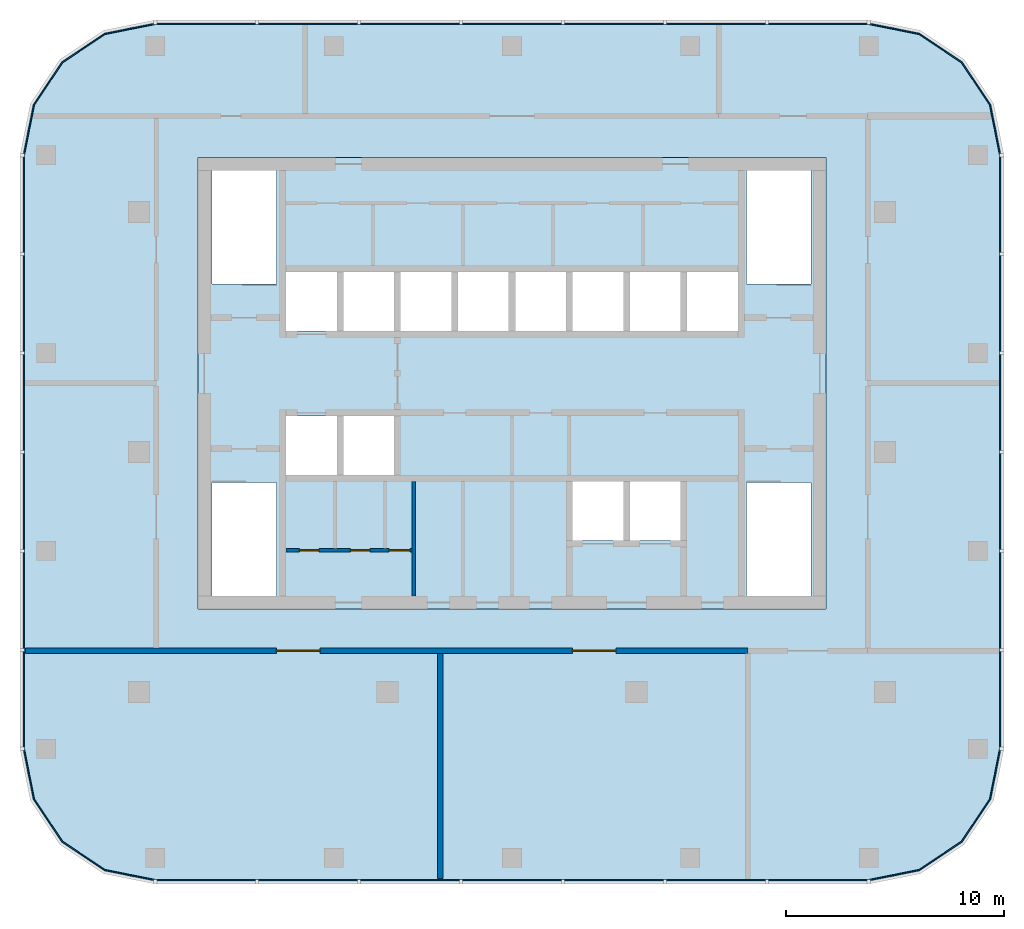
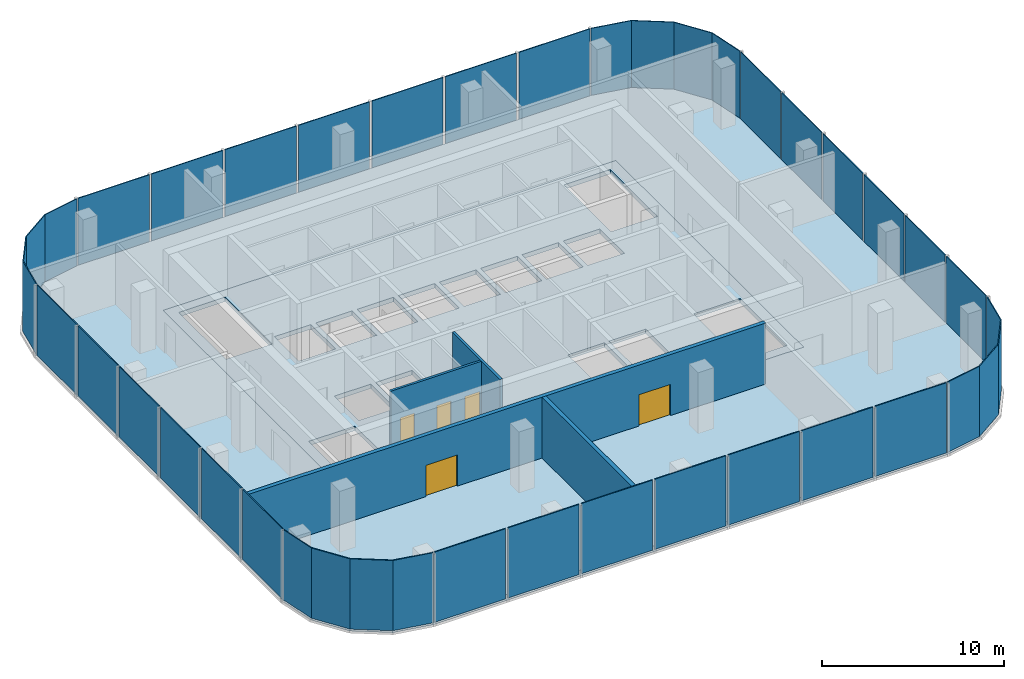
# One storey, part 3 of 6: 30 plates, 5 doors, 4 walls, 2 slabs, 5 openings, 8 elements without a shape of their own.
"""IFC4 building model written with IfcOpenShell, lengths in metres."""

from ifc_helpers import new_model, si_unit, direction, frame, frame_2d, origin, origin_2d, place, context, subcontext, project, spatial, polyline, rectangle, outline, extrude, material, layer, layer_set, type_object, element, fill, aggregate, save


model = new_model("IFC4")

# Units and contexts
model_context = context("Model", 3, precision=1e-05, world=origin(), true_north=direction((0.0, 1.0)))
body_context = subcontext(model_context, "Body", "Model", "MODEL_VIEW")
ifc_project = project(units=[si_unit("LENGTHUNIT", "METRE"), si_unit("AREAUNIT", "SQUARE_METRE"), si_unit("VOLUMEUNIT", "CUBIC_METRE"), si_unit("PLANEANGLEUNIT", "RADIAN"), si_unit("MASSUNIT", "GRAM", prefix="KILO")], contexts=[model_context])

# Site, building, storey
site_placement = place(None, origin())
site = spatial("IfcSite", under=ifc_project, at=site_placement, CompositionType="ELEMENT")
building_placement = place(site_placement, origin())
building = spatial("IfcBuilding", under=site, at=building_placement, Name="Mopane Tessera Tower", CompositionType="ELEMENT")
storey_placement = place(building_placement, frame((0.0, 0.0, 357.39990234375)))
storey = spatial("IfcBuildingStorey", under=building, at=storey_placement, Name="Roof plant", CompositionType="ELEMENT", Elevation=357.39990234375)

# Slab
ifc_material_1 = material(Name="Concrete C40/50", Category="concrete")
ifc_layer_1 = layer(ifc_material_1, 0.300048828125)
ifc_layer_set_1 = layer_set([ifc_layer_1], Name="Concrete C40/50")
slab_type_1 = type_object("IfcSlabType", Name="Core floor slab 300 mm", PredefinedType="FLOOR", material=ifc_layer_set_1)
slab_1_placement = place(storey_placement, frame((0.0, 0.0, -0.2998046875)))
element("IfcSlab", 1, at=slab_1_placement, inside=storey, type_object=slab_type_1, Name="Roof plant core floor slab", PredefinedType="FLOOR", context=body_context, shape_type="SweptSolid", body=[
    extrude(outline(polyline([(-14.39990234375, -7.199951171875), (14.39990234375, -7.199951171875), (14.39990234375, 13.5), (-14.39990234375, 13.5), (-14.39990234375, -7.199951171875)]), holes=[polyline([(-10.35009765625, -1.050048828125), (-8.02490234375, -1.050048828125), (-8.02490234375, 1.64990234375), (-10.35009765625, 1.64990234375), (-10.35009765625, -1.050048828125)]), polyline([(-7.72509765625, -1.050048828125), (-5.39990234375, -1.050048828125), (-5.39990234375, 1.64990234375), (-7.72509765625, 1.64990234375), (-7.72509765625, -1.050048828125)]), polyline([(-10.35009765625, 5.550048828125), (-8.02490234375, 5.550048828125), (-8.02490234375, 8.25), (-10.35009765625, 8.25), (-10.35009765625, 5.550048828125)]), polyline([(-7.72509765625, 5.550048828125), (-5.39990234375, 5.550048828125), (-5.39990234375, 8.25), (-7.72509765625, 8.25), (-7.72509765625, 5.550048828125)]), polyline([(-5.10009765625, 5.550048828125), (-2.77490234375, 5.550048828125), (-2.77490234375, 8.25), (-5.10009765625, 8.25), (-5.10009765625, 5.550048828125)]), polyline([(-2.47509765625, 5.550048828125), (-0.14990234375, 5.550048828125), (-0.14990234375, 8.25), (-2.47509765625, 8.25), (-2.47509765625, 5.550048828125)]), polyline([(0.14990234375, 5.550048828125), (2.47509765625, 5.550048828125), (2.47509765625, 8.25), (0.14990234375, 8.25), (0.14990234375, 5.550048828125)]), polyline([(2.77490234375, 5.550048828125), (5.10009765625, 5.550048828125), (5.10009765625, 8.25), (2.77490234375, 8.25), (2.77490234375, 5.550048828125)]), polyline([(5.39990234375, 5.550048828125), (7.72509765625, 5.550048828125), (7.72509765625, 8.25), (5.39990234375, 8.25), (5.39990234375, 5.550048828125)]), polyline([(8.02490234375, 5.550048828125), (10.35009765625, 5.550048828125), (10.35009765625, 8.25), (8.02490234375, 8.25), (8.02490234375, 5.550048828125)]), polyline([(2.77490234375, -4.050048828125), (5.10009765625, -4.050048828125), (5.10009765625, -1.35009765625), (2.77490234375, -1.35009765625), (2.77490234375, -4.050048828125)]), polyline([(5.39990234375, -4.050048828125), (7.72509765625, -4.050048828125), (7.72509765625, -1.35009765625), (5.39990234375, -1.35009765625), (5.39990234375, -4.050048828125)]), polyline([(-13.75, -1.405029296875), (-13.75, -6.60009765625), (-10.800048828125, -6.60009765625), (-10.800048828125, -1.405029296875), (-13.75, -1.405029296875)]), polyline([(-10.800048828125, 7.705078125), (-10.800048828125, 12.89990234375), (-13.75, 12.89990234375), (-13.75, 7.705078125), (-10.800048828125, 7.705078125)]), polyline([(10.75, -1.405029296875), (10.75, -6.60009765625), (13.699951171875, -6.60009765625), (13.699951171875, -1.405029296875), (10.75, -1.405029296875)]), polyline([(13.699951171875, 7.705078125), (13.699951171875, 12.89990234375), (10.75, 12.89990234375), (10.75, 7.705078125), (13.699951171875, 7.705078125)])]), origin(), (0.0, 0.0, 1.0), 0.2998046875),
])

# Curtain wall, plates
ifc_material_2 = material(Name="Aluminium frame", Category="aluminium")
curtain_wall_type = type_object("IfcCurtainWallType", Name="Plant floor unitised wall", PredefinedType="NOTDEFINED", material=ifc_material_2)
curtain_wall_1_placement = place(storey_placement, origin())
curtain_wall_1 = element("IfcCurtainWall", 2, at=curtain_wall_1_placement, inside=storey, type_object=curtain_wall_type, Name="e:cw:Roof plant:S:0", PredefinedType="NOTDEFINED")
ifc_material_3 = material(Name="Anodised aluminium louvre blades", Category="aluminium")
ifc_layer_2 = layer(ifc_material_3, 0.06005859375)
ifc_layer_set_2 = layer_set([ifc_layer_2], Name="Anodised aluminium louvre blades")
plate_type = type_object("IfcPlateType", Name="Louvred plant screen unit", PredefinedType="CURTAIN_PANEL", material=ifc_layer_set_2)
plate_1_placement = place(storey_placement, frame((-14.014404296875, -19.6298828125, -0.2197265625), z_axis=(0.0, 0.0, 1.0), x_axis=(1.0, 0.0, 0.0)))
plate_1 = element("IfcPlate", 3, at=plate_1_placement, type_object=plate_type, Name="e:cw:Roof plant:S:0:pn0", PredefinedType="CURTAIN_PANEL", context=body_context, shape_type="SweptSolid", body=[
    extrude(rectangle(XDim=4.531494140625, YDim=0.06005859375, at=origin_2d()), origin(), (0.0, 0.0, 1.0), 4.719970703125),
])
plate_2_placement = place(storey_placement, frame((-9.3427734375, -19.6298828125, -0.2197265625), z_axis=(0.0, 0.0, 1.0), x_axis=(1.0, 0.0, 0.0)))
plate_2 = element("IfcPlate", 4, at=plate_2_placement, type_object=plate_type, Name="e:cw:Roof plant:S:0:pn1", PredefinedType="CURTAIN_PANEL", context=body_context, shape_type="SweptSolid", body=[
    extrude(rectangle(XDim=4.531494140625, YDim=0.06005859375, at=origin_2d()), origin(), (0.0, 0.0, 1.0), 4.719970703125),
])
plate_3_placement = place(storey_placement, frame((-4.67138671875, -19.6298828125, -0.2197265625), z_axis=(0.0, 0.0, 1.0), x_axis=(1.0, 0.0, 0.0)))
plate_3 = element("IfcPlate", 5, at=plate_3_placement, type_object=plate_type, Name="e:cw:Roof plant:S:0:pn2", PredefinedType="CURTAIN_PANEL", context=body_context, shape_type="SweptSolid", body=[
    extrude(rectangle(XDim=4.531494140625, YDim=0.06005859375, at=origin_2d()), origin(), (0.0, 0.0, 1.0), 4.719970703125),
])
plate_4_placement = place(storey_placement, frame((0.0, -19.6298828125, -0.2197265625), z_axis=(0.0, 0.0, 1.0), x_axis=(1.0, 0.0, 0.0)))
plate_4 = element("IfcPlate", 6, at=plate_4_placement, type_object=plate_type, Name="e:cw:Roof plant:S:0:pn3", PredefinedType="CURTAIN_PANEL", context=body_context, shape_type="SweptSolid", body=[
    extrude(rectangle(XDim=4.531494140625, YDim=0.06005859375, at=origin_2d()), origin(), (0.0, 0.0, 1.0), 4.719970703125),
])
plate_5_placement = place(storey_placement, frame((4.67138671875, -19.6298828125, -0.2197265625), z_axis=(0.0, 0.0, 1.0), x_axis=(1.0, 0.0, 0.0)))
plate_5 = element("IfcPlate", 7, at=plate_5_placement, type_object=plate_type, Name="e:cw:Roof plant:S:0:pn4", PredefinedType="CURTAIN_PANEL", context=body_context, shape_type="SweptSolid", body=[
    extrude(rectangle(XDim=4.531494140625, YDim=0.06005859375, at=origin_2d()), origin(), (0.0, 0.0, 1.0), 4.719970703125),
])
plate_6_placement = place(storey_placement, frame((9.3427734375, -19.6298828125, -0.2197265625), z_axis=(0.0, 0.0, 1.0), x_axis=(1.0, 0.0, 0.0)))
plate_6 = element("IfcPlate", 8, at=plate_6_placement, type_object=plate_type, Name="e:cw:Roof plant:S:0:pn5", PredefinedType="CURTAIN_PANEL", context=body_context, shape_type="SweptSolid", body=[
    extrude(rectangle(XDim=4.531494140625, YDim=0.06005859375, at=origin_2d()), origin(), (0.0, 0.0, 1.0), 4.719970703125),
])
plate_7_placement = place(storey_placement, frame((14.014404296875, -19.6298828125, -0.2197265625), z_axis=(0.0, 0.0, 1.0), x_axis=(1.0, 0.0, 0.0)))
plate_7 = element("IfcPlate", 9, at=plate_7_placement, type_object=plate_type, Name="e:cw:Roof plant:S:0:pn6", PredefinedType="CURTAIN_PANEL", context=body_context, shape_type="SweptSolid", body=[
    extrude(rectangle(XDim=4.531494140625, YDim=0.06005859375, at=origin_2d()), origin(), (0.0, 0.0, 1.0), 4.719970703125),
])
aggregate(curtain_wall_1, [plate_1, plate_2, plate_3, plate_4, plate_5, plate_6, plate_7])

# Curtain wall, plate
curtain_wall_2_placement = place(storey_placement, origin())
curtain_wall_2 = element("IfcCurtainWall", 10, at=curtain_wall_2_placement, inside=storey, type_object=curtain_wall_type, Name="e:cw:Roof plant:CS", PredefinedType="NOTDEFINED")
plate_8_placement = place(storey_placement, frame((0.0, 0.0, -0.219970703125)))
plate_8 = element("IfcPlate", 11, at=plate_8_placement, type_object=plate_type, Name="e:cw:Roof plant:CS:pn", PredefinedType="CURTAIN_PANEL", context=body_context, shape_type="SweptSolid", body=[
    extrude(outline(polyline([(16.35009765625, -19.60009765625), (18.64599609375, -19.143310546875), (20.592529296875, -17.842529296875), (21.893310546875, -15.89599609375), (22.35009765625, -13.60009765625), (22.409912109375, -13.60009765625), (21.94873046875, -15.9189453125), (20.635009765625, -17.885009765625), (18.6689453125, -19.19873046875), (16.35009765625, -19.659912109375), (16.35009765625, -19.60009765625)])), origin(), (0.0, 0.0, 1.0), 4.719970703125),
])
aggregate(curtain_wall_2, [plate_8])

# Curtain wall, plates
curtain_wall_3_placement = place(storey_placement, origin())
curtain_wall_3 = element("IfcCurtainWall", 12, at=curtain_wall_3_placement, inside=storey, type_object=curtain_wall_type, Name="e:cw:Roof plant:E:0", PredefinedType="NOTDEFINED")
plate_9_placement = place(storey_placement, frame((22.3798828125, -11.333251953125, -0.2197265625), z_axis=(0.0, 0.0, 1.0), x_axis=(0.0, 1.0, 0.0)))
plate_9 = element("IfcPlate", 13, at=plate_9_placement, type_object=plate_type, Name="e:cw:Roof plant:E:0:pn0", PredefinedType="CURTAIN_PANEL", context=body_context, shape_type="SweptSolid", body=[
    extrude(rectangle(XDim=4.393310546875, YDim=0.06005859375, at=origin_2d()), origin(), (0.0, 0.0, 1.0), 4.719970703125),
])
plate_10_placement = place(storey_placement, frame((22.3798828125, -6.800048828125, -0.2197265625), z_axis=(0.0, 0.0, 1.0), x_axis=(0.0, 1.0, 0.0)))
plate_10 = element("IfcPlate", 14, at=plate_10_placement, type_object=plate_type, Name="e:cw:Roof plant:E:0:pn1", PredefinedType="CURTAIN_PANEL", context=body_context, shape_type="SweptSolid", body=[
    extrude(rectangle(XDim=4.393310546875, YDim=0.06005859375, at=origin_2d()), origin(), (0.0, 0.0, 1.0), 4.719970703125),
])
plate_11_placement = place(storey_placement, frame((22.3798828125, -2.2666015625, -0.2197265625), z_axis=(0.0, 0.0, 1.0), x_axis=(0.0, 1.0, 0.0)))
plate_11 = element("IfcPlate", 15, at=plate_11_placement, type_object=plate_type, Name="e:cw:Roof plant:E:0:pn2", PredefinedType="CURTAIN_PANEL", context=body_context, shape_type="SweptSolid", body=[
    extrude(rectangle(XDim=4.393310546875, YDim=0.06005859375, at=origin_2d()), origin(), (0.0, 0.0, 1.0), 4.719970703125),
])
plate_12_placement = place(storey_placement, frame((22.3798828125, 2.2666015625, -0.2197265625), z_axis=(0.0, 0.0, 1.0), x_axis=(0.0, 1.0, 0.0)))
plate_12 = element("IfcPlate", 16, at=plate_12_placement, type_object=plate_type, Name="e:cw:Roof plant:E:0:pn3", PredefinedType="CURTAIN_PANEL", context=body_context, shape_type="SweptSolid", body=[
    extrude(rectangle(XDim=4.393310546875, YDim=0.06005859375, at=origin_2d()), origin(), (0.0, 0.0, 1.0), 4.719970703125),
])
plate_13_placement = place(storey_placement, frame((22.3798828125, 6.800048828125, -0.2197265625), z_axis=(0.0, 0.0, 1.0), x_axis=(0.0, 1.0, 0.0)))
plate_13 = element("IfcPlate", 17, at=plate_13_placement, type_object=plate_type, Name="e:cw:Roof plant:E:0:pn4", PredefinedType="CURTAIN_PANEL", context=body_context, shape_type="SweptSolid", body=[
    extrude(rectangle(XDim=4.393310546875, YDim=0.06005859375, at=origin_2d()), origin(), (0.0, 0.0, 1.0), 4.719970703125),
])
plate_14_placement = place(storey_placement, frame((22.3798828125, 11.333251953125, -0.2197265625), z_axis=(0.0, 0.0, 1.0), x_axis=(0.0, 1.0, 0.0)))
plate_14 = element("IfcPlate", 18, at=plate_14_placement, type_object=plate_type, Name="e:cw:Roof plant:E:0:pn5", PredefinedType="CURTAIN_PANEL", context=body_context, shape_type="SweptSolid", body=[
    extrude(rectangle(XDim=4.393310546875, YDim=0.06005859375, at=origin_2d()), origin(), (0.0, 0.0, 1.0), 4.719970703125),
])
aggregate(curtain_wall_3, [plate_9, plate_10, plate_11, plate_12, plate_13, plate_14])

# Curtain wall, plate
curtain_wall_4_placement = place(storey_placement, origin())
curtain_wall_4 = element("IfcCurtainWall", 19, at=curtain_wall_4_placement, inside=storey, type_object=curtain_wall_type, Name="e:cw:Roof plant:CE", PredefinedType="NOTDEFINED")
plate_15_placement = place(storey_placement, frame((0.0, 0.0, -0.219970703125)))
plate_15 = element("IfcPlate", 20, at=plate_15_placement, type_object=plate_type, Name="e:cw:Roof plant:CE:pn", PredefinedType="CURTAIN_PANEL", context=body_context, shape_type="SweptSolid", body=[
    extrude(outline(polyline([(22.35009765625, 13.60009765625), (21.893310546875, 15.89599609375), (20.592529296875, 17.842529296875), (18.64599609375, 19.143310546875), (16.35009765625, 19.60009765625), (16.35009765625, 19.659912109375), (18.6689453125, 19.19873046875), (20.635009765625, 17.885009765625), (21.94873046875, 15.9189453125), (22.409912109375, 13.60009765625), (22.35009765625, 13.60009765625)])), origin(), (0.0, 0.0, 1.0), 4.719970703125),
])
aggregate(curtain_wall_4, [plate_15])

# Curtain wall, plates
curtain_wall_5_placement = place(storey_placement, origin())
curtain_wall_5 = element("IfcCurtainWall", 21, at=curtain_wall_5_placement, inside=storey, type_object=curtain_wall_type, Name="e:cw:Roof plant:N:0", PredefinedType="NOTDEFINED")
plate_16_placement = place(storey_placement, frame((14.014404296875, 19.6298828125, -0.2197265625), z_axis=(0.0, 0.0, 1.0), x_axis=(-1.0, 0.0, 0.0)))
plate_16 = element("IfcPlate", 22, at=plate_16_placement, type_object=plate_type, Name="e:cw:Roof plant:N:0:pn0", PredefinedType="CURTAIN_PANEL", context=body_context, shape_type="SweptSolid", body=[
    extrude(rectangle(XDim=4.531494140625, YDim=0.06005859375, at=origin_2d()), origin(), (0.0, 0.0, 1.0), 4.719970703125),
])
plate_17_placement = place(storey_placement, frame((9.3427734375, 19.6298828125, -0.2197265625), z_axis=(0.0, 0.0, 1.0), x_axis=(-1.0, 0.0, 0.0)))
plate_17 = element("IfcPlate", 23, at=plate_17_placement, type_object=plate_type, Name="e:cw:Roof plant:N:0:pn1", PredefinedType="CURTAIN_PANEL", context=body_context, shape_type="SweptSolid", body=[
    extrude(rectangle(XDim=4.531494140625, YDim=0.06005859375, at=origin_2d()), origin(), (0.0, 0.0, 1.0), 4.719970703125),
])
plate_18_placement = place(storey_placement, frame((4.67138671875, 19.6298828125, -0.2197265625), z_axis=(0.0, 0.0, 1.0), x_axis=(-1.0, 0.0, 0.0)))
plate_18 = element("IfcPlate", 24, at=plate_18_placement, type_object=plate_type, Name="e:cw:Roof plant:N:0:pn2", PredefinedType="CURTAIN_PANEL", context=body_context, shape_type="SweptSolid", body=[
    extrude(rectangle(XDim=4.531494140625, YDim=0.06005859375, at=origin_2d()), origin(), (0.0, 0.0, 1.0), 4.719970703125),
])
plate_19_placement = place(storey_placement, frame((0.0, 19.6298828125, -0.2197265625), z_axis=(0.0, 0.0, 1.0), x_axis=(-1.0, 0.0, 0.0)))
plate_19 = element("IfcPlate", 25, at=plate_19_placement, type_object=plate_type, Name="e:cw:Roof plant:N:0:pn3", PredefinedType="CURTAIN_PANEL", context=body_context, shape_type="SweptSolid", body=[
    extrude(rectangle(XDim=4.531494140625, YDim=0.06005859375, at=origin_2d()), origin(), (0.0, 0.0, 1.0), 4.719970703125),
])
plate_20_placement = place(storey_placement, frame((-4.67138671875, 19.6298828125, -0.2197265625), z_axis=(0.0, 0.0, 1.0), x_axis=(-1.0, 0.0, 0.0)))
plate_20 = element("IfcPlate", 26, at=plate_20_placement, type_object=plate_type, Name="e:cw:Roof plant:N:0:pn4", PredefinedType="CURTAIN_PANEL", context=body_context, shape_type="SweptSolid", body=[
    extrude(rectangle(XDim=4.531494140625, YDim=0.06005859375, at=origin_2d()), origin(), (0.0, 0.0, 1.0), 4.719970703125),
])
plate_21_placement = place(storey_placement, frame((-9.3427734375, 19.6298828125, -0.2197265625), z_axis=(0.0, 0.0, 1.0), x_axis=(-1.0, 0.0, 0.0)))
plate_21 = element("IfcPlate", 27, at=plate_21_placement, type_object=plate_type, Name="e:cw:Roof plant:N:0:pn5", PredefinedType="CURTAIN_PANEL", context=body_context, shape_type="SweptSolid", body=[
    extrude(rectangle(XDim=4.531494140625, YDim=0.06005859375, at=origin_2d()), origin(), (0.0, 0.0, 1.0), 4.719970703125),
])
plate_22_placement = place(storey_placement, frame((-14.014404296875, 19.6298828125, -0.2197265625), z_axis=(0.0, 0.0, 1.0), x_axis=(-1.0, 0.0, 0.0)))
plate_22 = element("IfcPlate", 28, at=plate_22_placement, type_object=plate_type, Name="e:cw:Roof plant:N:0:pn6", PredefinedType="CURTAIN_PANEL", context=body_context, shape_type="SweptSolid", body=[
    extrude(rectangle(XDim=4.531494140625, YDim=0.06005859375, at=origin_2d()), origin(), (0.0, 0.0, 1.0), 4.719970703125),
])
aggregate(curtain_wall_5, [plate_16, plate_17, plate_18, plate_19, plate_20, plate_21, plate_22])

# Curtain wall, plate
curtain_wall_6_placement = place(storey_placement, origin())
curtain_wall_6 = element("IfcCurtainWall", 29, at=curtain_wall_6_placement, inside=storey, type_object=curtain_wall_type, Name="e:cw:Roof plant:CN", PredefinedType="NOTDEFINED")
plate_23_placement = place(storey_placement, frame((0.0, 0.0, -0.219970703125)))
plate_23 = element("IfcPlate", 30, at=plate_23_placement, type_object=plate_type, Name="e:cw:Roof plant:CN:pn", PredefinedType="CURTAIN_PANEL", context=body_context, shape_type="SweptSolid", body=[
    extrude(outline(polyline([(-16.35009765625, 19.60009765625), (-18.64599609375, 19.143310546875), (-20.592529296875, 17.842529296875), (-21.893310546875, 15.89599609375), (-22.35009765625, 13.60009765625), (-22.409912109375, 13.60009765625), (-21.94873046875, 15.9189453125), (-20.635009765625, 17.885009765625), (-18.6689453125, 19.19873046875), (-16.35009765625, 19.659912109375), (-16.35009765625, 19.60009765625)])), origin(), (0.0, 0.0, 1.0), 4.719970703125),
])
aggregate(curtain_wall_6, [plate_23])

# Curtain wall, plates
curtain_wall_7_placement = place(storey_placement, origin())
curtain_wall_7 = element("IfcCurtainWall", 31, at=curtain_wall_7_placement, inside=storey, type_object=curtain_wall_type, Name="e:cw:Roof plant:W:0", PredefinedType="NOTDEFINED")
plate_24_placement = place(storey_placement, frame((-22.3798828125, 11.333251953125, -0.2197265625), z_axis=(0.0, 0.0, 1.0), x_axis=(0.0, -1.0, 0.0)))
plate_24 = element("IfcPlate", 32, at=plate_24_placement, type_object=plate_type, Name="e:cw:Roof plant:W:0:pn0", PredefinedType="CURTAIN_PANEL", context=body_context, shape_type="SweptSolid", body=[
    extrude(rectangle(XDim=4.393310546875, YDim=0.06005859375, at=origin_2d()), origin(), (0.0, 0.0, 1.0), 4.719970703125),
])
plate_25_placement = place(storey_placement, frame((-22.3798828125, 6.800048828125, -0.2197265625), z_axis=(0.0, 0.0, 1.0), x_axis=(0.0, -1.0, 0.0)))
plate_25 = element("IfcPlate", 33, at=plate_25_placement, type_object=plate_type, Name="e:cw:Roof plant:W:0:pn1", PredefinedType="CURTAIN_PANEL", context=body_context, shape_type="SweptSolid", body=[
    extrude(rectangle(XDim=4.393310546875, YDim=0.06005859375, at=origin_2d()), origin(), (0.0, 0.0, 1.0), 4.719970703125),
])
plate_26_placement = place(storey_placement, frame((-22.3798828125, 2.2666015625, -0.2197265625), z_axis=(0.0, 0.0, 1.0), x_axis=(0.0, -1.0, 0.0)))
plate_26 = element("IfcPlate", 34, at=plate_26_placement, type_object=plate_type, Name="e:cw:Roof plant:W:0:pn2", PredefinedType="CURTAIN_PANEL", context=body_context, shape_type="SweptSolid", body=[
    extrude(rectangle(XDim=4.393310546875, YDim=0.06005859375, at=origin_2d()), origin(), (0.0, 0.0, 1.0), 4.719970703125),
])
plate_27_placement = place(storey_placement, frame((-22.3798828125, -2.2666015625, -0.2197265625), z_axis=(0.0, 0.0, 1.0), x_axis=(0.0, -1.0, 0.0)))
plate_27 = element("IfcPlate", 35, at=plate_27_placement, type_object=plate_type, Name="e:cw:Roof plant:W:0:pn3", PredefinedType="CURTAIN_PANEL", context=body_context, shape_type="SweptSolid", body=[
    extrude(rectangle(XDim=4.393310546875, YDim=0.06005859375, at=origin_2d()), origin(), (0.0, 0.0, 1.0), 4.719970703125),
])
plate_28_placement = place(storey_placement, frame((-22.3798828125, -6.800048828125, -0.2197265625), z_axis=(0.0, 0.0, 1.0), x_axis=(0.0, -1.0, 0.0)))
plate_28 = element("IfcPlate", 36, at=plate_28_placement, type_object=plate_type, Name="e:cw:Roof plant:W:0:pn4", PredefinedType="CURTAIN_PANEL", context=body_context, shape_type="SweptSolid", body=[
    extrude(rectangle(XDim=4.393310546875, YDim=0.06005859375, at=origin_2d()), origin(), (0.0, 0.0, 1.0), 4.719970703125),
])
plate_29_placement = place(storey_placement, frame((-22.3798828125, -11.333251953125, -0.2197265625), z_axis=(0.0, 0.0, 1.0), x_axis=(0.0, -1.0, 0.0)))
plate_29 = element("IfcPlate", 37, at=plate_29_placement, type_object=plate_type, Name="e:cw:Roof plant:W:0:pn5", PredefinedType="CURTAIN_PANEL", context=body_context, shape_type="SweptSolid", body=[
    extrude(rectangle(XDim=4.393310546875, YDim=0.06005859375, at=origin_2d()), origin(), (0.0, 0.0, 1.0), 4.719970703125),
])
aggregate(curtain_wall_7, [plate_24, plate_25, plate_26, plate_27, plate_28, plate_29])

# Curtain wall, plate
curtain_wall_8_placement = place(storey_placement, origin())
curtain_wall_8 = element("IfcCurtainWall", 38, at=curtain_wall_8_placement, inside=storey, type_object=curtain_wall_type, Name="e:cw:Roof plant:CW", PredefinedType="NOTDEFINED")
plate_30_placement = place(storey_placement, frame((0.0, 0.0, -0.219970703125)))
plate_30 = element("IfcPlate", 39, at=plate_30_placement, type_object=plate_type, Name="e:cw:Roof plant:CW:pn", PredefinedType="CURTAIN_PANEL", context=body_context, shape_type="SweptSolid", body=[
    extrude(outline(polyline([(-22.35009765625, -13.60009765625), (-21.893310546875, -15.89599609375), (-20.592529296875, -17.842529296875), (-18.64599609375, -19.143310546875), (-16.35009765625, -19.60009765625), (-16.35009765625, -19.659912109375), (-18.6689453125, -19.19873046875), (-20.635009765625, -17.885009765625), (-21.94873046875, -15.9189453125), (-22.409912109375, -13.60009765625), (-22.35009765625, -13.60009765625)])), origin(), (0.0, 0.0, 1.0), 4.719970703125),
])
aggregate(curtain_wall_8, [plate_30])

# Slab
ifc_material_4 = material(Name="Concrete C40/50", Category="concrete")
ifc_layer_3 = layer(ifc_material_4, 0.39990234375)
ifc_layer_set_3 = layer_set([ifc_layer_3], Name="Concrete C40/50")
slab_type_2 = type_object("IfcSlabType", Name="Post-tensioned flat plate 400 mm", PredefinedType="FLOOR", material=ifc_layer_set_3)
slab_2_placement = place(storey_placement, frame((0.0, 0.0, -0.39990234375)))
element("IfcSlab", 40, at=slab_2_placement, inside=storey, type_object=slab_type_2, Name="Floor slab Roof plant", PredefinedType="FLOOR", context=body_context, shape_type="SweptSolid", body=[
    extrude(outline(polyline([(-16.35009765625, -19.60009765625), (16.35009765625, -19.60009765625), (18.64599609375, -19.143310546875), (20.592529296875, -17.842529296875), (21.893310546875, -15.89599609375), (22.35009765625, -13.60009765625), (22.35009765625, 13.60009765625), (21.893310546875, 15.89599609375), (20.592529296875, 17.842529296875), (18.64599609375, 19.143310546875), (16.35009765625, 19.60009765625), (-16.35009765625, 19.60009765625), (-18.64599609375, 19.143310546875), (-20.592529296875, 17.842529296875), (-21.893310546875, 15.89599609375), (-22.35009765625, 13.60009765625), (-22.35009765625, -13.60009765625), (-21.893310546875, -15.89599609375), (-20.592529296875, -17.842529296875), (-18.64599609375, -19.143310546875), (-16.35009765625, -19.60009765625)]), holes=[polyline([(14.39990234375, -7.199951171875), (-14.39990234375, -7.199951171875), (-14.39990234375, 13.5), (14.39990234375, 13.5), (14.39990234375, -7.199951171875)])]), origin(), (0.0, 0.0, 1.0), 0.39990234375),
])

# Wall, openings, doors
ifc_material_5 = material(Name="Fire-rated gypsum board partition")
ifc_layer_4 = layer(ifc_material_5, 0.14990234375)
ifc_layer_set_4 = layer_set([ifc_layer_4], Name="Fire-rated gypsum board partition")
wall_type_1 = type_object("IfcWallType", Name="Core room partition 150 mm", PredefinedType="PARTITIONING", material=ifc_layer_set_4)
wall_1_placement = place(storey_placement, frame((-10.35009765625, -4.5, 0.0), z_axis=(0.0, 0.0, 1.0), x_axis=(1.0, 0.0, 0.0)))
wall_1 = element("IfcWall", 41, at=wall_1_placement, inside=storey, type_object=wall_type_1, Name="Roof plant WC partition", PredefinedType="PARTITIONING", context=body_context, shape_type="SweptSolid", body=[
    extrude(rectangle(XDim=5.775146484375, YDim=0.14990234375, at=frame_2d((2.8876953125, 0.0))), origin(), (0.0, 0.0, 1.0), 4.10009765625),
])
opening_1_placement = place(wall_1_placement, frame((0.60009765625, 0.0, 0.0)))
opening_1 = element("IfcOpeningElement", 42, at=opening_1_placement, cuts=wall_1, Name="Opening WD1", PredefinedType="OPENING", context=body_context, shape_type="SweptSolid", body=[
    extrude(rectangle(XDim=0.89990234375, YDim=2.10009765625, at=frame_2d((0.449951171875, 1.050048828125))), frame((0.0, 0.0869140625, 0.0), z_axis=(0.0, -1.0, 0.0), x_axis=(1.0, 0.0, 0.0)), (0.0, 0.0, 1.0), 0.173828125),
])
opening_2_placement = place(wall_1_placement, frame((2.93994140625, 0.0, 0.0)))
opening_2 = element("IfcOpeningElement", 43, at=opening_2_placement, cuts=wall_1, Name="Opening WD1", PredefinedType="OPENING", context=body_context, shape_type="SweptSolid", body=[
    extrude(rectangle(XDim=0.89990234375, YDim=2.10009765625, at=frame_2d((0.449951171875, 1.050048828125))), frame((0.0, 0.0869140625, 0.0), z_axis=(0.0, -1.0, 0.0), x_axis=(1.0, 0.0, 0.0)), (0.0, 0.0, 1.0), 0.173828125),
])
opening_3_placement = place(wall_1_placement, frame((4.715087890625, 0.0, 0.0)))
opening_3 = element("IfcOpeningElement", 44, at=opening_3_placement, cuts=wall_1, Name="Opening WD2", PredefinedType="OPENING", context=body_context, shape_type="SweptSolid", body=[
    extrude(rectangle(XDim=0.949951171875, YDim=2.10009765625, at=frame_2d((0.47509765625, 1.050048828125))), frame((0.0, 0.0869140625, 0.0), z_axis=(0.0, -1.0, 0.0), x_axis=(1.0, 0.0, 0.0)), (0.0, 0.0, 1.0), 0.173828125),
])
ifc_material_6 = material(Name="Timber door", Category="wood")
door_type_1 = type_object("IfcDoorType", Name="Accessible WC door 950 x 2100", OperationType="SINGLE_SWING_LEFT", PredefinedType="DOOR", material=ifc_material_6)
door_1_placement = place(opening_3_placement, origin())
door_1 = element("IfcDoor", 45, at=door_1_placement, inside=storey, type_object=door_type_1, Name="Roof plant Accessible WC door", OperationType="SINGLE_SWING_LEFT", OverallHeight=2.10009765625, OverallWidth=0.949951171875, PredefinedType="DOOR", context=body_context, shape_type="SweptSolid", body=[
    extrude(rectangle(XDim=0.949951171875, YDim=2.10009765625, at=frame_2d((0.47509765625, 1.050048828125))), frame((0.0, 0.02490234375, 0.0), z_axis=(0.0, -1.0, 0.0), x_axis=(1.0, 0.0, 0.0)), (0.0, 0.0, 1.0), 0.050048828125),
])
fill(opening_3, door_1)
ifc_material_7 = material(Name="Timber door", Category="wood")
door_type_2 = type_object("IfcDoorType", Name="WC cubicle door 900 x 2100", OperationType="SINGLE_SWING_LEFT", PredefinedType="DOOR", material=ifc_material_7)
door_2_placement = place(opening_1_placement, origin())
door_2 = element("IfcDoor", 46, at=door_2_placement, inside=storey, type_object=door_type_2, Name="Roof plant Men's WC door", OperationType="SINGLE_SWING_LEFT", OverallHeight=2.10009765625, OverallWidth=0.89990234375, PredefinedType="DOOR", context=body_context, shape_type="SweptSolid", body=[
    extrude(rectangle(XDim=0.89990234375, YDim=2.10009765625, at=frame_2d((0.449951171875, 1.050048828125))), frame((0.0, 0.02490234375, 0.0), z_axis=(0.0, -1.0, 0.0), x_axis=(1.0, 0.0, 0.0)), (0.0, 0.0, 1.0), 0.050048828125),
])
fill(opening_1, door_2)
door_3_placement = place(opening_2_placement, origin())
door_3 = element("IfcDoor", 47, at=door_3_placement, inside=storey, type_object=door_type_2, Name="Roof plant Women's WC door", OperationType="SINGLE_SWING_LEFT", OverallHeight=2.10009765625, OverallWidth=0.89990234375, PredefinedType="DOOR", context=body_context, shape_type="SweptSolid", body=[
    extrude(rectangle(XDim=0.89990234375, YDim=2.10009765625, at=frame_2d((0.449951171875, 1.050048828125))), frame((0.0, 0.02490234375, 0.0), z_axis=(0.0, -1.0, 0.0), x_axis=(1.0, 0.0, 0.0)), (0.0, 0.0, 1.0), 0.050048828125),
])
fill(opening_2, door_3)

# Wall
wall_2_placement = place(storey_placement, frame((-4.5, -6.60009765625, 0.0), z_axis=(0.0, 0.0, 1.0), x_axis=(0.0, 1.0, 0.0)))
element("IfcWall", 48, at=wall_2_placement, inside=storey, type_object=wall_type_1, Name="Roof plant Room partition", PredefinedType="PARTITIONING", context=body_context, shape_type="SweptSolid", body=[
    extrude(rectangle(XDim=5.25, YDim=0.14990234375, at=frame_2d((2.625, 0.0))), origin(), (0.0, 0.0, 1.0), 4.10009765625),
])

# Wall, openings, doors
ifc_material_8 = material(Name="Plastered concrete blockwork C20/25", Category="masonry")
ifc_layer_5 = layer(ifc_material_8, 0.25)
ifc_layer_set_5 = layer_set([ifc_layer_5], Name="Plastered concrete blockwork C20/25")
wall_type_2 = type_object("IfcWallType", Name="Plastered blockwork wall 250, rated EI 120", PredefinedType="PARTITIONING", material=ifc_layer_set_5)
wall_3_placement = place(storey_placement, frame((-22.300048828125, -9.10009765625, 0.0), z_axis=(0.0, 0.0, 1.0), x_axis=(1.0, 0.0, 0.0)))
wall_3 = element("IfcWall", 49, at=wall_3_placement, inside=storey, type_object=wall_type_2, Name="Partition Roof plant:001", PredefinedType="PARTITIONING", context=body_context, shape_type="SweptSolid", body=[
    extrude(rectangle(XDim=33.114990234375, YDim=0.25, at=frame_2d((16.5576171875, 0.0))), origin(), (0.0, 0.0, 1.0), 4.10009765625),
])
opening_4_placement = place(wall_3_placement, frame((11.5048828125, 0.0, 0.0)))
opening_4 = element("IfcOpeningElement", 50, at=opening_4_placement, cuts=wall_3, Name="Opening Roof plant-04", PredefinedType="OPENING", context=body_context, shape_type="SweptSolid", body=[
    extrude(rectangle(XDim=2.0, YDim=2.10009765625, at=frame_2d((1.0, 1.050048828125))), frame((0.0, 0.136962890625, 0.0), z_axis=(0.0, -1.0, 0.0), x_axis=(1.0, 0.0, 0.0)), (0.0, 0.0, 1.0), 0.27392578125),
])
opening_5_placement = place(wall_3_placement, frame((25.0625, 0.0, 0.0)))
opening_5 = element("IfcOpeningElement", 51, at=opening_5_placement, cuts=wall_3, Name="Opening Roof plant-06", PredefinedType="OPENING", context=body_context, shape_type="SweptSolid", body=[
    extrude(rectangle(XDim=2.0, YDim=2.10009765625, at=frame_2d((1.0, 1.050048828125))), frame((0.0, 0.136962890625, 0.0), z_axis=(0.0, -1.0, 0.0), x_axis=(1.0, 0.0, 0.0)), (0.0, 0.0, 1.0), 0.27392578125),
])
ifc_material_9 = material(Name="Timber veneered steel-framed fire door", Category="steel")
door_type_3 = type_object("IfcDoorType", Name="Fire door pair FD120 2000 x 2100", OperationType="DOUBLE_DOOR_SINGLE_SWING", PredefinedType="DOOR", material=ifc_material_9)
door_4_placement = place(opening_4_placement, origin())
door_4 = element("IfcDoor", 52, at=door_4_placement, inside=storey, type_object=door_type_3, Name="Door Roof plant-04", ObjectType="D25B", OperationType="DOUBLE_DOOR_SINGLE_SWING", OverallHeight=2.10009765625, OverallWidth=2.0, PredefinedType="DOOR", context=body_context, shape_type="SweptSolid", body=[
    extrude(rectangle(XDim=2.0, YDim=2.10009765625, at=frame_2d((1.0, 1.050048828125))), frame((0.0, 0.02490234375, 0.0), z_axis=(0.0, -1.0, 0.0), x_axis=(1.0, 0.0, 0.0)), (0.0, 0.0, 1.0), 0.050048828125),
])
fill(opening_4, door_4)
door_5_placement = place(opening_5_placement, origin())
door_5 = element("IfcDoor", 53, at=door_5_placement, inside=storey, type_object=door_type_3, Name="Door Roof plant-06", ObjectType="D25B", OperationType="DOUBLE_DOOR_SINGLE_SWING", OverallHeight=2.10009765625, OverallWidth=2.0, PredefinedType="DOOR", context=body_context, shape_type="SweptSolid", body=[
    extrude(rectangle(XDim=2.0, YDim=2.10009765625, at=frame_2d((1.0, 1.050048828125))), frame((0.0, 0.02490234375, 0.0), z_axis=(0.0, -1.0, 0.0), x_axis=(1.0, 0.0, 0.0)), (0.0, 0.0, 1.0), 0.050048828125),
])
fill(opening_5, door_5)

# Wall
wall_4_placement = place(storey_placement, frame((-3.2900390625, -19.550048828125, 0.0), z_axis=(0.0, 0.0, 1.0), x_axis=(0.0, 1.0, 0.0)))
element("IfcWall", 54, at=wall_4_placement, inside=storey, type_object=wall_type_2, Name="Partition Roof plant:011", PredefinedType="PARTITIONING", context=body_context, shape_type="SweptSolid", body=[
    extrude(rectangle(XDim=10.324951171875, YDim=0.25, at=frame_2d((5.16259765625, 0.0))), origin(), (0.0, 0.0, 1.0), 4.10009765625),
])

save(model, "model.ifc")
